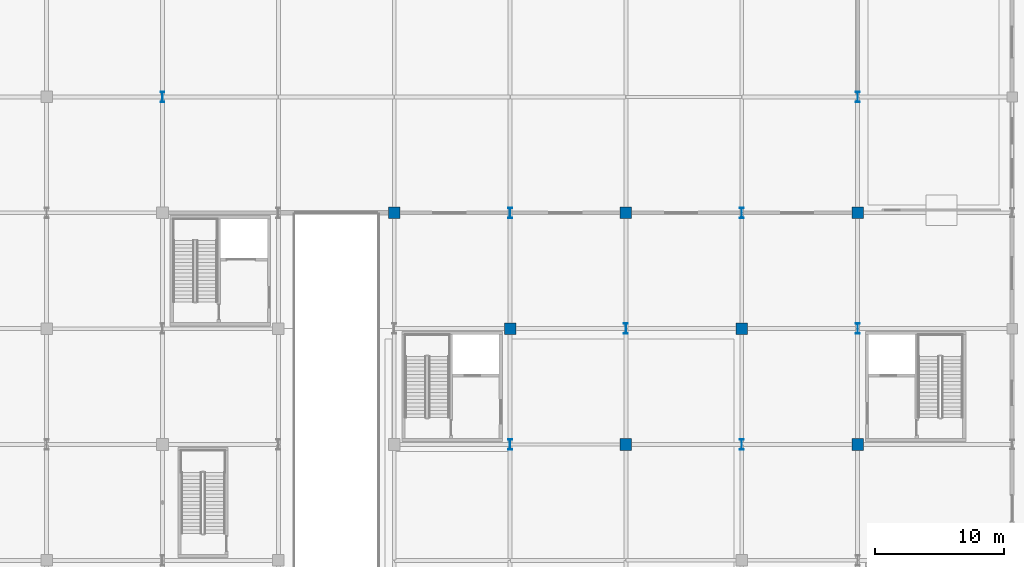
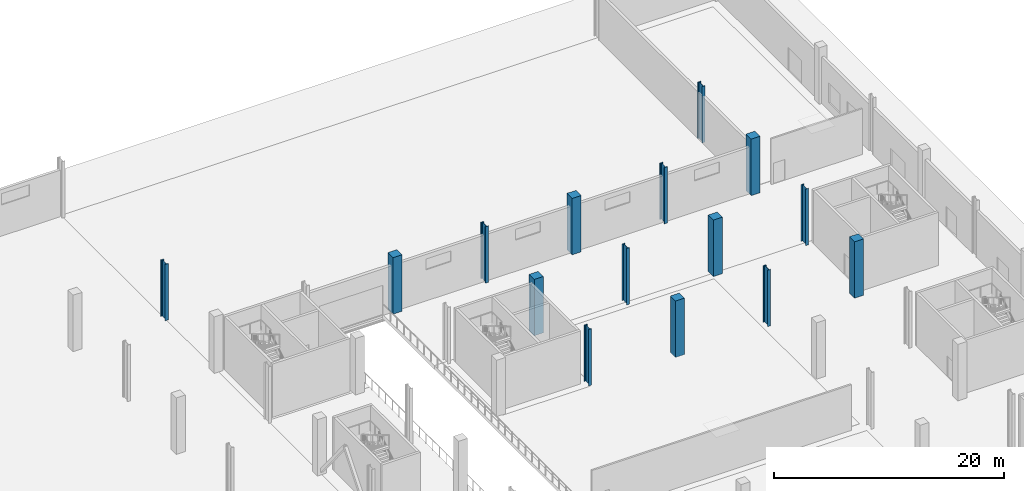
# One storey, part 13 of 58: 15 columns.
"""IFC4 building model written with IfcOpenShell, lengths in metres."""

from ifc_helpers import new_model, si_unit, direction, frame, origin, origin_2d, place, context, subcontext, project, spatial, rectangle, i_section, extrude, material, material_profile, profile_set, type_object, element, save


model = new_model("IFC4")

# Units and contexts
model_context = context("Model", 3, precision=1e-05, world=origin(), true_north=direction((0.0, 1.0)))
body_context = subcontext(model_context, "Body", "Model", "MODEL_VIEW")
ifc_project = project(units=[si_unit("LENGTHUNIT", "METRE"), si_unit("AREAUNIT", "SQUARE_METRE"), si_unit("VOLUMEUNIT", "CUBIC_METRE"), si_unit("PLANEANGLEUNIT", "RADIAN"), si_unit("MASSUNIT", "GRAM", prefix="KILO")], contexts=[model_context])

# Site, building, storey
site_placement = place(None, origin())
site = spatial("IfcSite", under=ifc_project, at=site_placement, CompositionType="ELEMENT")
building_placement = place(site_placement, origin())
building = spatial("IfcBuilding", under=site, at=building_placement, Name="Barlavento Convention Centre", CompositionType="ELEMENT")
storey_placement = place(building_placement, origin())
storey = spatial("IfcBuildingStorey", under=building, at=storey_placement, Name="L00", CompositionType="ELEMENT", Elevation=0.0)

# Columns
ifc_material_1 = material(Name="Steel S460", Category="steel")
ifc_material_profile_1 = material_profile(ifc_material_1, i_section(OverallWidth=0.302978515625, OverallDepth=0.81396484375, WebThickness=0.02099609375, FlangeThickness=0.0400390625, FilletRadius=0.030029296875, at=origin_2d()), Name="HEM 800")
ifc_profile_set_1 = profile_set([ifc_material_profile_1], Name="Steel S460")
column_type_1 = type_object("IfcColumnType", Name="STR-COL-HEM800", PredefinedType="COLUMN", material=ifc_profile_set_1)
for number, where, z_axis, x_axis, name in (
    (1, (126.0, 117.0, 0.0), (0.0, 0.0, 1.0), (1.0, 0.0, 0.0), "L00 column SC02"),
    (2, (153.0, 90.0, 0.0), (0.0, 0.0, 1.0), (1.0, 0.0, 0.0), "L00 column SC02"),
    (3, (153.0, 108.0, 0.0), (0.0, 0.0, 1.0), (1.0, 0.0, 0.0), "L00 column SC02"),
    (4, (162.0, 99.0, 0.0), (0.0, 0.0, 1.0), (1.0, 0.0, 0.0), "L00 column SC02"),
    (5, (171.0, 90.0, 0.0), (0.0, 0.0, 1.0), (1.0, 0.0, 0.0), "L00 column SC02"),
    (6, (171.0, 108.0, 0.0), (0.0, 0.0, 1.0), (1.0, 0.0, 0.0), "L00 column SC02"),
    (7, (180.0, 99.0, 0.0), (0.0, 0.0, 1.0), (1.0, 0.0, 0.0), "L00 column SC02"),
    (8, (180.0, 117.0, 0.0), (0.0, 0.0, 1.0), (1.0, 0.0, 0.0), "L00 column SC02"),
):
    element("IfcColumn", number, at=place(storey_placement, frame(where, z_axis=z_axis, x_axis=x_axis)), inside=storey, type_object=column_type_1, Name=name, PredefinedType="COLUMN", context=body_context, shape_type="SweptSolid", body=[
        extrude(i_section(OverallWidth=0.302978515625, OverallDepth=0.81396484375, WebThickness=0.02099609375, FlangeThickness=0.0400390625, FilletRadius=0.030029296875, at=origin_2d()), origin(), (0.0, 0.0, 1.0), 6.0),
    ])
ifc_material_2 = material(Name="Concrete C50/60", Category="concrete")
ifc_material_profile_2 = material_profile(ifc_material_2, rectangle(XDim=0.89990234375, YDim=0.89990234375, at=origin_2d()), Name="RC 900x900")
ifc_profile_set_2 = profile_set([ifc_material_profile_2], Name="Concrete C50/60")
column_type_2 = type_object("IfcColumnType", Name="STR-COL-RC900", PredefinedType="COLUMN", material=ifc_profile_set_2)
for number, where, z_axis, x_axis, name in (
    (9, (144.0, 108.0, 0.0), (0.0, 0.0, 1.0), (1.0, 0.0, 0.0), "L00 column CC04"),
    (10, (153.0, 99.0, 0.0), (0.0, 0.0, 1.0), (1.0, 0.0, 0.0), "L00 column CC04"),
    (11, (162.0, 90.0, 0.0), (0.0, 0.0, 1.0), (1.0, 0.0, 0.0), "L00 column CC04"),
    (12, (162.0, 108.0, 0.0), (0.0, 0.0, 1.0), (1.0, 0.0, 0.0), "L00 column CC04"),
    (13, (171.0, 99.0, 0.0), (0.0, 0.0, 1.0), (1.0, 0.0, 0.0), "L00 column CC04"),
    (14, (180.0, 90.0, 0.0), (0.0, 0.0, 1.0), (1.0, 0.0, 0.0), "L00 column CC04"),
    (15, (180.0, 108.0, 0.0), (0.0, 0.0, 1.0), (1.0, 0.0, 0.0), "L00 column CC04"),
):
    element("IfcColumn", number, at=place(storey_placement, frame(where, z_axis=z_axis, x_axis=x_axis)), inside=storey, type_object=column_type_2, Name=name, PredefinedType="COLUMN", context=body_context, shape_type="SweptSolid", body=[
        extrude(rectangle(XDim=0.89990234375, YDim=0.89990234375, at=origin_2d()), origin(), (0.0, 0.0, 1.0), 6.0),
    ])

save(model, "model.ifc")
